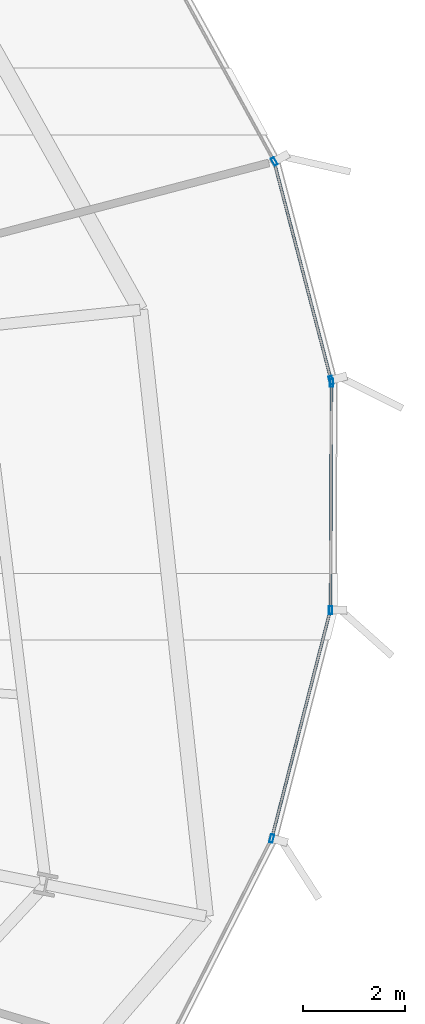
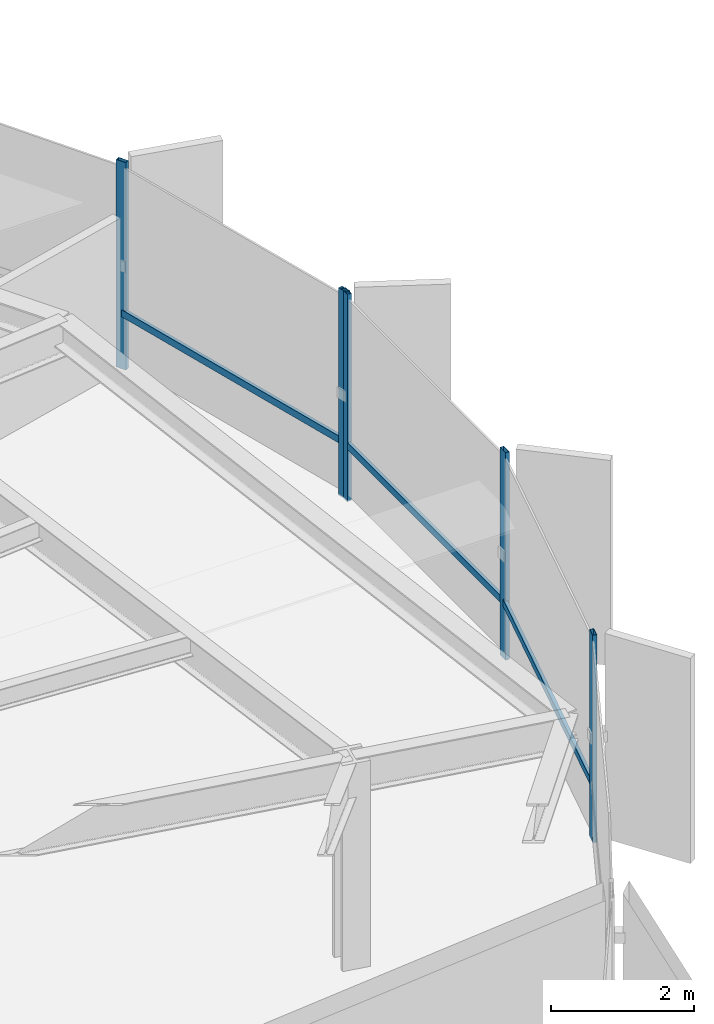
# One storey, part 28 of 37: 8 members, 2 elements without a shape of their own.
"""IFC4 building model written with IfcOpenShell, lengths in metres."""

from ifc_helpers import new_model, si_unit, direction, frame, origin, origin_2d, place, context, subcontext, project, spatial, hollow_rectangle, extrude, source, transform, mapped, material, layer, layer_set, material_profile, profile_set, type_object, element, aggregate, save


model = new_model("IFC4")

# Units and contexts
model_context = context("Model", 3, precision=1e-05, world=origin(), true_north=direction((0.0, 1.0)))
body_context = subcontext(model_context, "Body", "Model", "MODEL_VIEW")
ifc_project = project(units=[si_unit("LENGTHUNIT", "METRE"), si_unit("AREAUNIT", "SQUARE_METRE"), si_unit("VOLUMEUNIT", "CUBIC_METRE"), si_unit("PLANEANGLEUNIT", "RADIAN"), si_unit("MASSUNIT", "GRAM", prefix="KILO"), si_unit("THERMODYNAMICTEMPERATUREUNIT", "KELVIN")], contexts=[model_context])

# Site, building, storey
site_placement = place(None, origin())
site = spatial("IfcSite", under=ifc_project, at=site_placement, CompositionType="ELEMENT")
building_placement = place(site_placement, origin())
building = spatial("IfcBuilding", under=site, at=building_placement, Name="Kethvar Cultural Tower", CompositionType="ELEMENT")
storey_placement = place(building_placement, frame((0.0, 0.0, 60.0)))
storey = spatial("IfcBuildingStorey", under=building, at=storey_placement, Name="L14", CompositionType="ELEMENT", Elevation=60.0)

# Curtain wall, members
ifc_material = material(Name="Aluminium 6063-T6", Category="aluminium")
ifc_layer = layer(ifc_material, 0.179931640625, Name="Aluminium 6063-T6", Category="aluminium")
ifc_layer_set = layer_set([ifc_layer], Name="Aluminium 6063-T6 (180 mm)")
curtain_wall_type = type_object("IfcCurtainWallType", Name="CW-SYS-02-Z1", PredefinedType="NOTDEFINED", material=ifc_layer_set)
curtain_wall_1_placement = place(storey_placement, origin())
curtain_wall_1 = element("IfcCurtainWall", 1, at=curtain_wall_1_placement, inside=storey, type_object=curtain_wall_type, Name="L14 Curtain Wall Run 01", PredefinedType="NOTDEFINED")
ifc_material_profile_1 = material_profile(ifc_material, hollow_rectangle(XDim=0.06494140625, YDim=0.159912109375, WallThickness=0.0048828125, at=origin_2d()), Name="Aluminium 6063-T6 — RHS160x65x5")
ifc_profile_set_1 = profile_set([ifc_material_profile_1], Name="Aluminium 6063-T6 — RHS160x65x5")
member_type_1 = type_object("IfcMemberType", Name="CW-SYS-02-Z1-MUL", PredefinedType="MULLION", material=ifc_profile_set_1)
shared_shape_1 = source(origin(), body_context, "Body", "SweptSolid", [
    extrude(hollow_rectangle(XDim=0.06494140625, YDim=0.159912109375, WallThickness=0.0048828125, at=origin_2d()), origin(), (0.0, 0.0, 1.0), 3.550048828125),
])
member_1_placement = place(storey_placement, frame((80.590087890625, 32.09521484375, 0.0), z_axis=(0.0, 0.0, 1.0), x_axis=(-0.967612311462, -0.252440913299, 0.0)))
member_1 = element("IfcMember", 2, at=member_1_placement, type_object=member_type_1, Name="CW-L14-R01 Mullion 1", PredefinedType="MULLION", context=body_context, shape_type="MappedRepresentation", body=[
    mapped(shared_shape_1, transform((0.0, 0.0, 0.0), scale=1.0)),
])
member_2_placement = place(storey_placement, frame((79.474365234375, 36.38671875, 0.0), z_axis=(0.0, 0.0, 1.0), x_axis=(-0.876407559077, -0.481570130295, 0.0)))
member_2 = element("IfcMember", 3, at=member_2_placement, type_object=member_type_1, Name="CW-L14-R01 Mullion 2", PredefinedType="MULLION", context=body_context, shape_type="MappedRepresentation", body=[
    mapped(shared_shape_1, transform((0.0, 0.0, 0.0), scale=1.0)),
])

curtain_wall_2_placement = place(storey_placement, origin())
curtain_wall_2 = element("IfcCurtainWall", 4, at=curtain_wall_2_placement, inside=storey, type_object=curtain_wall_type, Name="L14 Curtain Wall Run 06", PredefinedType="NOTDEFINED")
member_3_placement = place(storey_placement, frame((79.425537109375, 23.095947265625, 0.0), z_axis=(0.0, 0.0, 1.0), x_axis=(-0.968635225373, 0.248487022129, 0.0)))
member_3 = element("IfcMember", 5, at=member_3_placement, type_object=member_type_1, Name="CW-L14-R06 Mullion 5", PredefinedType="MULLION", context=body_context, shape_type="MappedRepresentation", body=[
    mapped(shared_shape_1, transform((0.0, 0.0, 0.0), scale=1.0)),
])
member_4_placement = place(storey_placement, frame((80.57958984375, 27.57958984375, 0.0), z_axis=(0.0, 0.0, 1.0), x_axis=(-0.9999925611, 0.003857168083, 0.0)))
member_4 = element("IfcMember", 6, at=member_4_placement, type_object=member_type_1, Name="CW-L14-R06 Mullion 6", PredefinedType="MULLION", context=body_context, shape_type="MappedRepresentation", body=[
    mapped(shared_shape_1, transform((0.0, 0.0, 0.0), scale=1.0)),
])
member_5_placement = place(storey_placement, frame((80.5966796875, 32.04296875, 0.0), z_axis=(0.0, 0.0, 1.0), x_axis=(-0.9999925611, 0.003857168083, 0.0)))
member_5 = element("IfcMember", 7, at=member_5_placement, type_object=member_type_1, Name="CW-L14-R06 Mullion 7", PredefinedType="MULLION", context=body_context, shape_type="MappedRepresentation", body=[
    mapped(shared_shape_1, transform((0.0, 0.0, 0.0), scale=1.0)),
])

# Member
ifc_material_profile_2 = material_profile(ifc_material, hollow_rectangle(XDim=0.054931640625, YDim=0.1201171875, WallThickness=0.00390625, at=origin_2d()), Name="Aluminium 6063-T6 — RHS120x55x4")
ifc_profile_set_2 = profile_set([ifc_material_profile_2], Name="Aluminium 6063-T6 — RHS120x55x4")
member_type_2 = type_object("IfcMemberType", Name="CW-SYS-02-Z1-TRN", PredefinedType="USERDEFINED", material=ifc_profile_set_2)
shared_shape_2 = source(origin(), body_context, "Body", "SweptSolid", [
    extrude(hollow_rectangle(XDim=0.054931640625, YDim=0.1201171875, WallThickness=0.00390625, at=origin_2d()), origin(), (0.0, 0.0, 1.0), 4.412353515625),
])
member_6_placement = place(storey_placement, frame((80.589111328125, 32.099609375, 0.949951171875), z_axis=(-0.252482713556, 0.967601405205, 0.0), x_axis=(-0.967601405205, -0.252482713556, 0.0)))
member_6 = element("IfcMember", 8, at=member_6_placement, type_object=member_type_2, Name="CW-L14-R01 Transom 1", ObjectType="TRANSOM", PredefinedType="USERDEFINED", context=body_context, shape_type="MappedRepresentation", body=[
    mapped(shared_shape_2, transform((0.0, 0.0, 0.0), scale=1.0)),
])

aggregate(curtain_wall_1, [member_1, member_2, member_6])

shared_shape_3 = source(origin(), body_context, "Body", "SweptSolid", [
    extrude(hollow_rectangle(XDim=0.054931640625, YDim=0.1201171875, WallThickness=0.00390625, at=origin_2d()), origin(), (0.0, 0.0, 1.0), 4.5654296875),
])
member_7_placement = place(storey_placement, frame((79.437255859375, 23.141357421875, 0.949951171875), z_axis=(0.248444824236, 0.968646049551, 0.0), x_axis=(-0.968646049551, 0.248444824236, 0.0)))
member_7 = element("IfcMember", 9, at=member_7_placement, type_object=member_type_2, Name="CW-L14-R06 Transom 5", ObjectType="TRANSOM", PredefinedType="USERDEFINED", context=body_context, shape_type="MappedRepresentation", body=[
    mapped(shared_shape_3, transform((0.0, 0.0, 0.0), scale=1.0)),
])

shared_shape_4 = source(origin(), body_context, "Body", "SweptSolid", [
    extrude(hollow_rectangle(XDim=0.054931640625, YDim=0.1201171875, WallThickness=0.00390625, at=origin_2d()), origin(), (0.0, 0.0, 1.0), 4.411865234375),
])
member_8_placement = place(storey_placement, frame((80.57958984375, 27.62646484375, 0.949951171875), z_axis=(0.00387358059, 0.999992497659, 0.0), x_axis=(-0.999992497659, 0.00387358059, 0.0)))
member_8 = element("IfcMember", 10, at=member_8_placement, type_object=member_type_2, Name="CW-L14-R06 Transom 6", ObjectType="TRANSOM", PredefinedType="USERDEFINED", context=body_context, shape_type="MappedRepresentation", body=[
    mapped(shared_shape_4, transform((0.0, 0.0, 0.0), scale=1.0)),
])

aggregate(curtain_wall_2, [member_3, member_4, member_5, member_7, member_8])

save(model, "model.ifc")
